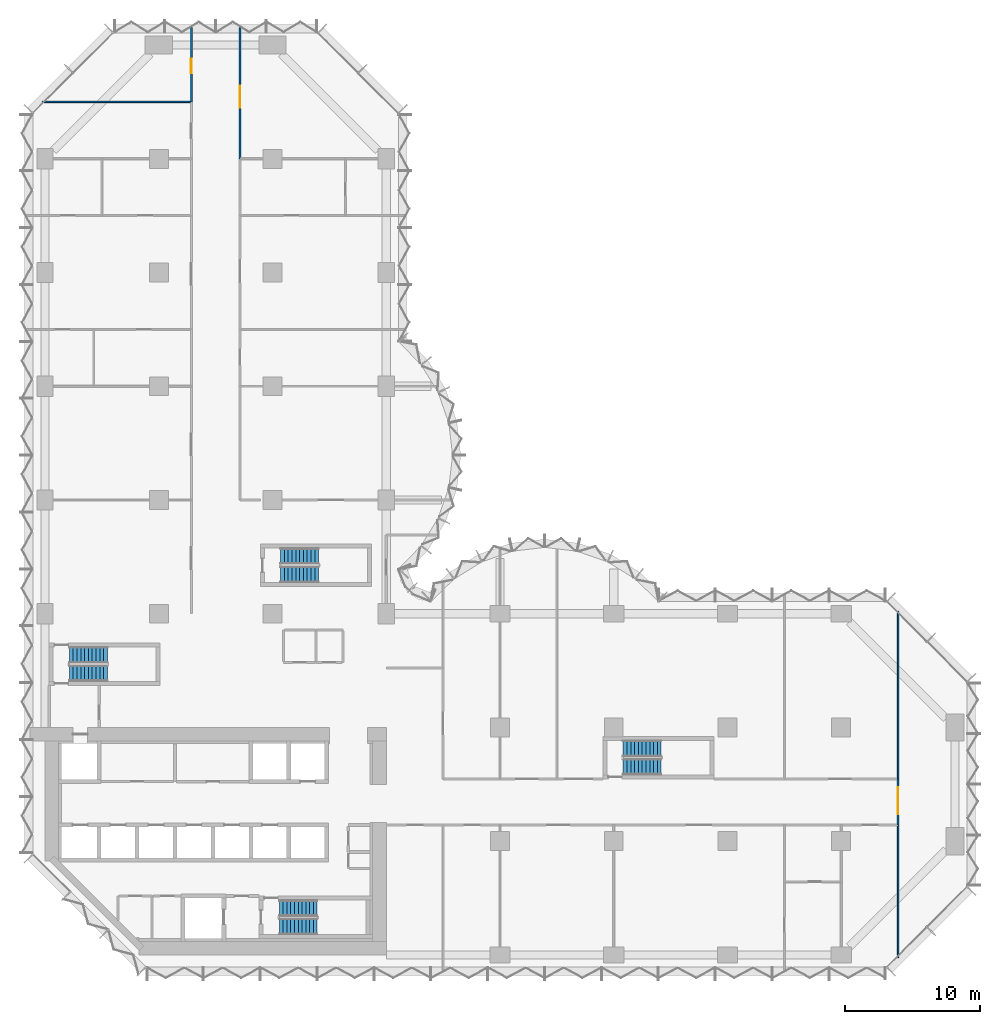
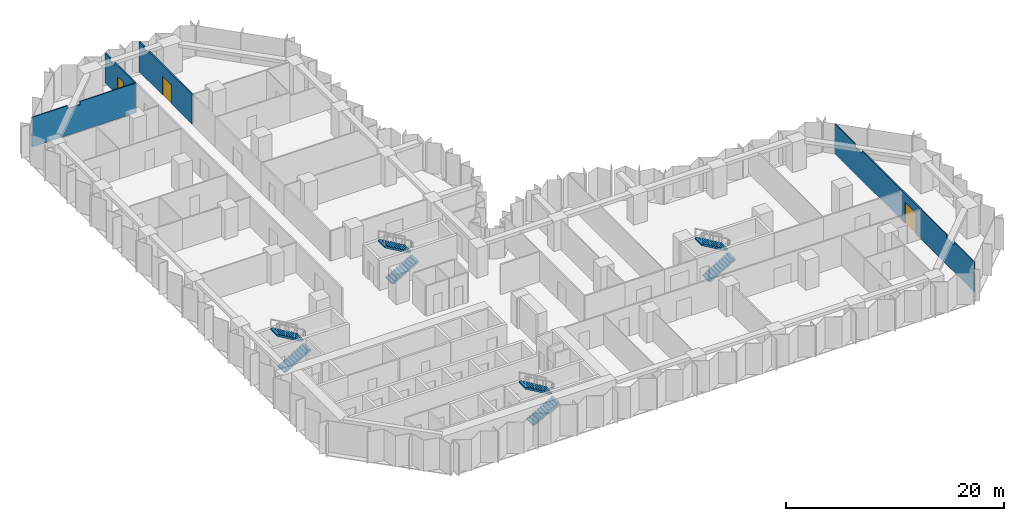
# One storey, part 12 of 15: 8 stair flights, 6 walls, 3 doors, 3 openings, 4 elements without a shape of their own.
"""IFC4 building model written with IfcOpenShell, lengths in metres."""

from ifc_helpers import new_model, si_unit, direction, frame, frame_2d, origin, place, context, subcontext, project, spatial, polyline, rectangle, outline, extrude, material, layer, layer_set, type_object, element, fill, aggregate, save


model = new_model("IFC4")

# Units and contexts
model_context = context("Model", 3, precision=1e-05, world=origin(), true_north=direction((0.0, 1.0)))
body_context = subcontext(model_context, "Body", "Model", "MODEL_VIEW")
ifc_project = project(units=[si_unit("LENGTHUNIT", "METRE"), si_unit("AREAUNIT", "SQUARE_METRE"), si_unit("VOLUMEUNIT", "CUBIC_METRE"), si_unit("PLANEANGLEUNIT", "RADIAN"), si_unit("MASSUNIT", "GRAM", prefix="KILO")], contexts=[model_context])

# Site, building, storey
site_placement = place(None, origin())
site = spatial("IfcSite", under=ifc_project, at=site_placement, CompositionType="ELEMENT")
building_placement = place(site_placement, origin())
building = spatial("IfcBuilding", under=site, at=building_placement, Name="Brevane Broadcast Tower", CompositionType="ELEMENT")
storey_placement = place(building_placement, frame((0.0, 0.0, 61.699951171875)))
storey = spatial("IfcBuildingStorey", under=building, at=storey_placement, Name="L13", CompositionType="ELEMENT", Elevation=61.699951171875)

# Walls
ifc_material_1 = material(Name="Gypsum board partition")
ifc_layer_1 = layer(ifc_material_1, 0.10009765625)
ifc_layer_set_1 = layer_set([ifc_layer_1], Name="PARTITION 100 STUD")
wall_type_1 = type_object("IfcWallType", Name="PARTITION 100 STUD", PredefinedType="PARTITIONING", material=ifc_layer_set_1)
wall_1_placement = place(storey_placement, frame((63.0, -0.199951171875, 0.0), z_axis=(0.0, 0.0, 1.0), x_axis=(0.0, 1.0, 0.0)))
element("IfcWall", 1, at=wall_1_placement, inside=storey, type_object=wall_type_1, Name="Partition G03-018", PredefinedType="PARTITIONING", context=body_context, shape_type="SweptSolid", body=[
    extrude(outline(polyline([(0.0, 0.0), (9.800048828125, 0.0), (9.800048828125, 3.330078125), (5.065673828125, 3.330078125), (5.063720703125, 2.97998046875), (3.736328125, 2.97998046875), (3.734375, 3.330078125), (0.0, 3.330078125), (0.0, 0.0)])), frame((0.0, 0.050048828125, 0.0), z_axis=(0.0, -1.0, 0.0), x_axis=(1.0, 0.0, 0.0)), (0.0, 0.0, 1.0), 0.10009765625),
])
wall_2_placement = place(storey_placement, frame((63.0, 13.0, 0.0), z_axis=(0.0, 0.0, 1.0), x_axis=(0.0, 1.0, 0.0)))
element("IfcWall", 2, at=wall_2_placement, inside=storey, type_object=wall_type_1, Name="Partition G03-019", PredefinedType="PARTITIONING", context=body_context, shape_type="SweptSolid", body=[
    extrude(outline(polyline([(0.0, 0.0), (12.39990234375, 0.0), (12.39990234375, 3.330078125), (8.665771484375, 3.330078125), (8.66357421875, 2.97998046875), (7.33642578125, 2.97998046875), (7.334228515625, 3.330078125), (0.0, 3.330078125), (0.0, 0.0)])), frame((0.0, 0.050048828125, 0.0), z_axis=(0.0, -1.0, 0.0), x_axis=(1.0, 0.0, 0.0)), (0.0, 0.0, 1.0), 0.10009765625),
])
wall_3_placement = place(storey_placement, frame((-0.199951171875, 63.0, 0.0), z_axis=(0.0, 0.0, 1.0), x_axis=(1.0, 0.0, 0.0)))
element("IfcWall", 3, at=wall_3_placement, inside=storey, type_object=wall_type_1, Name="Partition G03-065", PredefinedType="PARTITIONING", context=body_context, shape_type="SweptSolid", body=[
    extrude(outline(polyline([(0.0, 0.0), (11.0, 0.0), (11.0, 3.330078125), (5.065673828125, 3.330078125), (5.063720703125, 2.97998046875), (3.736328125, 2.97998046875), (3.734375, 3.330078125), (0.0, 3.330078125), (0.0, 0.0)])), frame((0.0, 0.050048828125, 0.0), z_axis=(0.0, -1.0, 0.0), x_axis=(1.0, 0.0, 0.0)), (0.0, 0.0, 1.0), 0.10009765625),
])

# Wall, opening, door
ifc_layer_2 = layer(ifc_material_1, 0.14990234375)
ifc_layer_set_2 = layer_set([ifc_layer_2], Name="PARTITION 150 EI 60")
wall_type_2 = type_object("IfcWallType", Name="PARTITION 150 EI 60", PredefinedType="PARTITIONING", material=ifc_layer_set_2)
wall_4_placement = place(storey_placement, frame((63.0, 13.0, 0.0), z_axis=(0.0, 0.0, 1.0), x_axis=(0.0, -1.0, 0.0)))
wall_4 = element("IfcWall", 4, at=wall_4_placement, inside=storey, type_object=wall_type_2, Name="Partition G03-007", PredefinedType="PARTITIONING", context=body_context, shape_type="SweptSolid", body=[
    extrude(rectangle(XDim=3.39990234375, YDim=0.14990234375, at=frame_2d((1.699951171875, 0.0))), origin(), (0.0, 0.0, 1.0), 3.330078125),
])
opening_1_placement = place(wall_4_placement, frame((0.60009765625, 0.0, 0.0)))
opening_1 = element("IfcOpeningElement", 5, at=opening_1_placement, cuts=wall_4, Name="Opening D09-002", PredefinedType="OPENING", context=body_context, shape_type="SweptSolid", body=[
    extrude(rectangle(XDim=2.0, YDim=2.39990234375, at=frame_2d((1.0, 1.199951171875))), frame((0.0, 0.0849609375, 0.0), z_axis=(0.0, -1.0, 0.0), x_axis=(1.0, 0.0, 0.0)), (0.0, 0.0, 1.0), 0.169921875),
])
ifc_material_2 = material(Name="Fire-rated timber door leaf", Category="wood")
door_type_1 = type_object("IfcDoorType", Name="DOOR DOUBLE 2000 FD30S", OperationType="DOUBLE_DOOR_SINGLE_SWING", PredefinedType="DOOR", material=ifc_material_2)
door_1_placement = place(opening_1_placement, origin())
door_1 = element("IfcDoor", 6, at=door_1_placement, inside=storey, type_object=door_type_1, Name="Door D09-002", OperationType="DOUBLE_DOOR_SINGLE_SWING", OverallHeight=2.39990234375, OverallWidth=2.0, PredefinedType="DOOR", context=body_context, shape_type="SweptSolid", body=[
    extrude(rectangle(XDim=2.0, YDim=2.39990234375, at=frame_2d((1.0, 1.199951171875))), frame((0.0, 0.02490234375, 0.0), z_axis=(0.0, -1.0, 0.0), x_axis=(1.0, 0.0, 0.0)), (0.0, 0.0, 1.0), 0.050048828125),
])
fill(opening_1, door_1)

wall_5_placement = place(storey_placement, frame((10.800048828125, 63.0, 0.0), z_axis=(0.0, 0.0, 1.0), x_axis=(0.0, 1.0, 0.0)))
wall_5 = element("IfcWall", 7, at=wall_5_placement, inside=storey, type_object=wall_type_2, Name="Partition G03-045", PredefinedType="PARTITIONING", context=body_context, shape_type="SweptSolid", body=[
    extrude(outline(polyline([(0.0, 0.0), (5.514404296875, 0.0), (5.514404296875, 3.330078125), (5.280029296875, 3.330078125), (4.64990234375, 3.330078125), (4.64794921875, 2.97998046875), (3.751953125, 2.97998046875), (3.75, 3.330078125), (0.0, 3.330078125), (0.0, 0.0)])), frame((0.0, 0.074951171875, 0.0), z_axis=(0.0, -1.0, 0.0), x_axis=(1.0, 0.0, 0.0)), (0.0, 0.0, 1.0), 0.14990234375),
])
opening_2_placement = place(wall_5_placement, frame((2.10009765625, 0.0, 0.0)))
opening_2 = element("IfcOpeningElement", 8, at=opening_2_placement, cuts=wall_5, Name="Opening D09-022", PredefinedType="OPENING", context=body_context, shape_type="SweptSolid", body=[
    extrude(rectangle(XDim=1.10009765625, YDim=2.10009765625, at=frame_2d((0.550048828125, 1.050048828125))), frame((0.0, 0.0849609375, 0.0), z_axis=(0.0, -1.0, 0.0), x_axis=(1.0, 0.0, 0.0)), (0.0, 0.0, 1.0), 0.169921875),
])
door_type_2 = type_object("IfcDoorType", Name="DOOR SINGLE 1100 FD30S", OperationType="SINGLE_SWING_LEFT", PredefinedType="DOOR", material=ifc_material_2)
door_2_placement = place(opening_2_placement, origin())
door_2 = element("IfcDoor", 9, at=door_2_placement, inside=storey, type_object=door_type_2, Name="Door D09-022", OperationType="SINGLE_SWING_LEFT", OverallHeight=2.10009765625, OverallWidth=1.10009765625, PredefinedType="DOOR", context=body_context, shape_type="SweptSolid", body=[
    extrude(rectangle(XDim=1.10009765625, YDim=2.10009765625, at=frame_2d((0.550048828125, 1.050048828125))), frame((0.0, 0.02490234375, 0.0), z_axis=(0.0, -1.0, 0.0), x_axis=(1.0, 0.0, 0.0)), (0.0, 0.0, 1.0), 0.050048828125),
])
fill(opening_2, door_2)

wall_6_placement = place(storey_placement, frame((14.39990234375, 68.514404296875, 0.0), z_axis=(0.0, 0.0, 1.0), x_axis=(0.0, -1.0, 0.0)))
wall_6 = element("IfcWall", 10, at=wall_6_placement, inside=storey, type_object=wall_type_2, Name="Partition G03-050", PredefinedType="PARTITIONING", context=body_context, shape_type="SweptSolid", body=[
    extrude(outline(polyline([(0.0, 0.0), (9.71435546875, 0.0), (9.71435546875, 3.330078125), (1.764404296875, 3.330078125), (1.76220703125, 2.97998046875), (0.8662109375, 2.97998046875), (0.8642578125, 3.330078125), (0.234375, 3.330078125), (0.0, 3.330078125), (0.0, 0.0)])), frame((0.0, 0.074951171875, 0.0), z_axis=(0.0, -1.0, 0.0), x_axis=(1.0, 0.0, 0.0)), (0.0, 0.0, 1.0), 0.14990234375),
])
opening_3_placement = place(wall_6_placement, frame((4.334228515625, 0.0, 0.0)))
opening_3 = element("IfcOpeningElement", 11, at=opening_3_placement, cuts=wall_6, Name="Opening D09-028", PredefinedType="OPENING", context=body_context, shape_type="SweptSolid", body=[
    extrude(rectangle(XDim=1.60009765625, YDim=2.10009765625, at=frame_2d((0.800048828125, 1.050048828125))), frame((0.0, 0.0849609375, 0.0), z_axis=(0.0, -1.0, 0.0), x_axis=(1.0, 0.0, 0.0)), (0.0, 0.0, 1.0), 0.169921875),
])
door_type_3 = type_object("IfcDoorType", Name="DOOR DOUBLE 1600 FD30S", OperationType="DOUBLE_DOOR_SINGLE_SWING", PredefinedType="DOOR", material=ifc_material_2)
door_3_placement = place(opening_3_placement, origin())
door_3 = element("IfcDoor", 12, at=door_3_placement, inside=storey, type_object=door_type_3, Name="Door D09-028", OperationType="DOUBLE_DOOR_SINGLE_SWING", OverallHeight=2.10009765625, OverallWidth=1.60009765625, PredefinedType="DOOR", context=body_context, shape_type="SweptSolid", body=[
    extrude(rectangle(XDim=1.60009765625, YDim=2.10009765625, at=frame_2d((0.800048828125, 1.050048828125))), frame((0.0, 0.02490234375, 0.0), z_axis=(0.0, -1.0, 0.0), x_axis=(1.0, 0.0, 0.0)), (0.0, 0.0, 1.0), 0.050048828125),
])
fill(opening_3, door_3)

# Stair, stair flights
ifc_material_3 = material(Name="Concrete C50/60", Category="concrete")
stair_type = type_object("IfcStairType", Name="Exit stair 22 risers", PredefinedType="HALF_TURN_STAIR", material=ifc_material_3)
stair_1_placement = place(storey_placement, origin())
stair_1 = element("IfcStair", 13, at=stair_1_placement, inside=storey, type_object=stair_type, Name="L13 Exit stair ST-1", PredefinedType="HALF_TURN_STAIR")
stair_flight_type = type_object("IfcStairFlightType", Name="Exit stair flight 22 risers", PredefinedType="STRAIGHT", material=ifc_material_3)
stair_flight_1_placement = place(storey_placement, frame((1.800048828125, 20.800048828125, 0.0), z_axis=(0.0, 0.0, 1.0), x_axis=(1.0, 0.0, 0.0)))
stair_flight_1 = element("IfcStairFlight", 14, at=stair_flight_1_placement, type_object=stair_flight_type, Name="ST-1 flight 1", NumberOfRisers=11, NumberOfTreads=10, PredefinedType="STRAIGHT", RiserHeight=0.163636364, TreadLength=0.28, context=body_context, shape_type="SweptSolid", body=[
    extrude(outline(polyline([(0.0, 0.0), (0.0, 0.16357421875), (0.280029296875, 0.16357421875), (0.280029296875, 0.327392578125), (0.56005859375, 0.327392578125), (0.56005859375, 0.490966796875), (0.840087890625, 0.490966796875), (0.840087890625, 0.654541015625), (1.1201171875, 0.654541015625), (1.1201171875, 0.818115234375), (1.39990234375, 0.818115234375), (1.39990234375, 0.98193359375), (1.679931640625, 0.98193359375), (1.679931640625, 1.1455078125), (1.9599609375, 1.1455078125), (1.9599609375, 1.30908203125), (2.239990234375, 1.30908203125), (2.239990234375, 1.47265625), (2.52001953125, 1.47265625), (2.52001953125, 1.636474609375), (2.800048828125, 1.636474609375), (2.800048828125, 1.800048828125), (2.800048828125, 1.462646484375), (0.297119140625, 0.0), (0.0, 0.0)])), frame((0.0, 0.60009765625, 0.0), z_axis=(0.0, -1.0, 0.0), x_axis=(1.0, 0.0, 0.0)), (0.0, 0.0, 1.0), 1.199951171875),
])
stair_flight_2_placement = place(storey_placement, frame((4.60009765625, 22.14990234375, 1.800048828125), z_axis=(0.0, 0.0, 1.0), x_axis=(-1.0, 0.0, 0.0)))
stair_flight_2 = element("IfcStairFlight", 15, at=stair_flight_2_placement, type_object=stair_flight_type, Name="ST-1 flight 2", NumberOfRisers=11, NumberOfTreads=10, PredefinedType="STRAIGHT", RiserHeight=0.163636364, TreadLength=0.28, context=body_context, shape_type="SweptSolid", body=[
    extrude(outline(polyline([(0.0, 0.0), (0.0, 0.16357421875), (0.280029296875, 0.16357421875), (0.280029296875, 0.327392578125), (0.56005859375, 0.327392578125), (0.56005859375, 0.490966796875), (0.840087890625, 0.490966796875), (0.840087890625, 0.654541015625), (1.1201171875, 0.654541015625), (1.1201171875, 0.818115234375), (1.39990234375, 0.818115234375), (1.39990234375, 0.98193359375), (1.679931640625, 0.98193359375), (1.679931640625, 1.1455078125), (1.9599609375, 1.1455078125), (1.9599609375, 1.30908203125), (2.239990234375, 1.30908203125), (2.239990234375, 1.47265625), (2.52001953125, 1.47265625), (2.52001953125, 1.636474609375), (2.800048828125, 1.636474609375), (2.800048828125, 1.800048828125), (2.800048828125, 1.462646484375), (0.297119140625, 0.0), (0.0, 0.0)])), frame((0.0, 0.60009765625, 0.0), z_axis=(0.0, -1.0, 0.0), x_axis=(1.0, 0.0, 0.0)), (0.0, 0.0, 1.0), 1.199951171875),
])
aggregate(stair_1, [stair_flight_1, stair_flight_2])

stair_2_placement = place(storey_placement, origin())
stair_2 = element("IfcStair", 16, at=stair_2_placement, inside=storey, type_object=stair_type, Name="L13 Exit stair ST-2", PredefinedType="HALF_TURN_STAIR")
stair_flight_3_placement = place(storey_placement, frame((17.300048828125, 2.10009765625, 0.0), z_axis=(0.0, 0.0, 1.0), x_axis=(1.0, 0.0, 0.0)))
stair_flight_3 = element("IfcStairFlight", 17, at=stair_flight_3_placement, type_object=stair_flight_type, Name="ST-2 flight 1", NumberOfRisers=11, NumberOfTreads=10, PredefinedType="STRAIGHT", RiserHeight=0.163636364, TreadLength=0.28, context=body_context, shape_type="SweptSolid", body=[
    extrude(outline(polyline([(0.0, 0.0), (0.0, 0.16357421875), (0.280029296875, 0.16357421875), (0.280029296875, 0.327392578125), (0.56005859375, 0.327392578125), (0.56005859375, 0.490966796875), (0.840087890625, 0.490966796875), (0.840087890625, 0.654541015625), (1.1201171875, 0.654541015625), (1.1201171875, 0.818115234375), (1.39990234375, 0.818115234375), (1.39990234375, 0.98193359375), (1.679931640625, 0.98193359375), (1.679931640625, 1.1455078125), (1.9599609375, 1.1455078125), (1.9599609375, 1.30908203125), (2.239990234375, 1.30908203125), (2.239990234375, 1.47265625), (2.52001953125, 1.47265625), (2.52001953125, 1.636474609375), (2.800048828125, 1.636474609375), (2.800048828125, 1.800048828125), (2.800048828125, 1.462646484375), (0.297119140625, 0.0), (0.0, 0.0)])), frame((0.0, 0.60009765625, 0.0), z_axis=(0.0, -1.0, 0.0), x_axis=(1.0, 0.0, 0.0)), (0.0, 0.0, 1.0), 1.199951171875),
])
stair_flight_4_placement = place(storey_placement, frame((20.10009765625, 3.449951171875, 1.800048828125), z_axis=(0.0, 0.0, 1.0), x_axis=(-1.0, 0.0, 0.0)))
stair_flight_4 = element("IfcStairFlight", 18, at=stair_flight_4_placement, type_object=stair_flight_type, Name="ST-2 flight 2", NumberOfRisers=11, NumberOfTreads=10, PredefinedType="STRAIGHT", RiserHeight=0.163636364, TreadLength=0.28, context=body_context, shape_type="SweptSolid", body=[
    extrude(outline(polyline([(0.0, 0.0), (0.0, 0.16357421875), (0.280029296875, 0.16357421875), (0.280029296875, 0.327392578125), (0.56005859375, 0.327392578125), (0.56005859375, 0.490966796875), (0.840087890625, 0.490966796875), (0.840087890625, 0.654541015625), (1.1201171875, 0.654541015625), (1.1201171875, 0.818115234375), (1.39990234375, 0.818115234375), (1.39990234375, 0.98193359375), (1.679931640625, 0.98193359375), (1.679931640625, 1.1455078125), (1.9599609375, 1.1455078125), (1.9599609375, 1.30908203125), (2.239990234375, 1.30908203125), (2.239990234375, 1.47265625), (2.52001953125, 1.47265625), (2.52001953125, 1.636474609375), (2.800048828125, 1.636474609375), (2.800048828125, 1.800048828125), (2.800048828125, 1.462646484375), (0.297119140625, 0.0), (0.0, 0.0)])), frame((0.0, 0.60009765625, 0.0), z_axis=(0.0, -1.0, 0.0), x_axis=(1.0, 0.0, 0.0)), (0.0, 0.0, 1.0), 1.199951171875),
])
aggregate(stair_2, [stair_flight_3, stair_flight_4])

stair_3_placement = place(storey_placement, origin())
stair_3 = element("IfcStair", 19, at=stair_3_placement, inside=storey, type_object=stair_type, Name="L13 Exit stair ST-3", PredefinedType="HALF_TURN_STAIR")
stair_flight_5_placement = place(storey_placement, frame((17.39990234375, 28.10009765625, 0.0), z_axis=(0.0, 0.0, 1.0), x_axis=(1.0, 0.0, 0.0)))
stair_flight_5 = element("IfcStairFlight", 20, at=stair_flight_5_placement, type_object=stair_flight_type, Name="ST-3 flight 1", NumberOfRisers=11, NumberOfTreads=10, PredefinedType="STRAIGHT", RiserHeight=0.163636364, TreadLength=0.28, context=body_context, shape_type="SweptSolid", body=[
    extrude(outline(polyline([(0.0, 0.0), (0.0, 0.16357421875), (0.280029296875, 0.16357421875), (0.280029296875, 0.327392578125), (0.56005859375, 0.327392578125), (0.56005859375, 0.490966796875), (0.840087890625, 0.490966796875), (0.840087890625, 0.654541015625), (1.1201171875, 0.654541015625), (1.1201171875, 0.818115234375), (1.39990234375, 0.818115234375), (1.39990234375, 0.98193359375), (1.679931640625, 0.98193359375), (1.679931640625, 1.1455078125), (1.9599609375, 1.1455078125), (1.9599609375, 1.30908203125), (2.239990234375, 1.30908203125), (2.239990234375, 1.47265625), (2.52001953125, 1.47265625), (2.52001953125, 1.636474609375), (2.800048828125, 1.636474609375), (2.800048828125, 1.800048828125), (2.800048828125, 1.462646484375), (0.297119140625, 0.0), (0.0, 0.0)])), frame((0.0, 0.60009765625, 0.0), z_axis=(0.0, -1.0, 0.0), x_axis=(1.0, 0.0, 0.0)), (0.0, 0.0, 1.0), 1.199951171875),
])
stair_flight_6_placement = place(storey_placement, frame((20.199951171875, 29.449951171875, 1.800048828125), z_axis=(0.0, 0.0, 1.0), x_axis=(-1.0, 0.0, 0.0)))
stair_flight_6 = element("IfcStairFlight", 21, at=stair_flight_6_placement, type_object=stair_flight_type, Name="ST-3 flight 2", NumberOfRisers=11, NumberOfTreads=10, PredefinedType="STRAIGHT", RiserHeight=0.163636364, TreadLength=0.28, context=body_context, shape_type="SweptSolid", body=[
    extrude(outline(polyline([(0.0, 0.0), (0.0, 0.16357421875), (0.280029296875, 0.16357421875), (0.280029296875, 0.327392578125), (0.56005859375, 0.327392578125), (0.56005859375, 0.490966796875), (0.840087890625, 0.490966796875), (0.840087890625, 0.654541015625), (1.1201171875, 0.654541015625), (1.1201171875, 0.818115234375), (1.39990234375, 0.818115234375), (1.39990234375, 0.98193359375), (1.679931640625, 0.98193359375), (1.679931640625, 1.1455078125), (1.9599609375, 1.1455078125), (1.9599609375, 1.30908203125), (2.239990234375, 1.30908203125), (2.239990234375, 1.47265625), (2.52001953125, 1.47265625), (2.52001953125, 1.636474609375), (2.800048828125, 1.636474609375), (2.800048828125, 1.800048828125), (2.800048828125, 1.462646484375), (0.297119140625, 0.0), (0.0, 0.0)])), frame((0.0, 0.60009765625, 0.0), z_axis=(0.0, -1.0, 0.0), x_axis=(1.0, 0.0, 0.0)), (0.0, 0.0, 1.0), 1.199951171875),
])
aggregate(stair_3, [stair_flight_5, stair_flight_6])

stair_4_placement = place(storey_placement, origin())
stair_4 = element("IfcStair", 22, at=stair_4_placement, inside=storey, type_object=stair_type, Name="L13 Exit stair ST-4", PredefinedType="HALF_TURN_STAIR")
stair_flight_7_placement = place(storey_placement, frame((42.699951171875, 13.89990234375, 0.0), z_axis=(0.0, 0.0, 1.0), x_axis=(1.0, 0.0, 0.0)))
stair_flight_7 = element("IfcStairFlight", 23, at=stair_flight_7_placement, type_object=stair_flight_type, Name="ST-4 flight 1", NumberOfRisers=11, NumberOfTreads=10, PredefinedType="STRAIGHT", RiserHeight=0.163636364, TreadLength=0.28, context=body_context, shape_type="SweptSolid", body=[
    extrude(outline(polyline([(0.0, 0.0), (0.0, 0.16357421875), (0.280029296875, 0.16357421875), (0.280029296875, 0.327392578125), (0.56005859375, 0.327392578125), (0.56005859375, 0.490966796875), (0.840087890625, 0.490966796875), (0.840087890625, 0.654541015625), (1.1201171875, 0.654541015625), (1.1201171875, 0.818115234375), (1.39990234375, 0.818115234375), (1.39990234375, 0.98193359375), (1.679931640625, 0.98193359375), (1.679931640625, 1.1455078125), (1.9599609375, 1.1455078125), (1.9599609375, 1.30908203125), (2.239990234375, 1.30908203125), (2.239990234375, 1.47265625), (2.52001953125, 1.47265625), (2.52001953125, 1.636474609375), (2.800048828125, 1.636474609375), (2.800048828125, 1.800048828125), (2.800048828125, 1.462646484375), (0.297119140625, 0.0), (0.0, 0.0)])), frame((0.0, 0.60009765625, 0.0), z_axis=(0.0, -1.0, 0.0), x_axis=(1.0, 0.0, 0.0)), (0.0, 0.0, 1.0), 1.199951171875),
])
stair_flight_8_placement = place(storey_placement, frame((45.5, 15.25, 1.800048828125), z_axis=(0.0, 0.0, 1.0), x_axis=(-1.0, 0.0, 0.0)))
stair_flight_8 = element("IfcStairFlight", 24, at=stair_flight_8_placement, type_object=stair_flight_type, Name="ST-4 flight 2", NumberOfRisers=11, NumberOfTreads=10, PredefinedType="STRAIGHT", RiserHeight=0.163636364, TreadLength=0.28, context=body_context, shape_type="SweptSolid", body=[
    extrude(outline(polyline([(0.0, 0.0), (0.0, 0.16357421875), (0.280029296875, 0.16357421875), (0.280029296875, 0.327392578125), (0.56005859375, 0.327392578125), (0.56005859375, 0.490966796875), (0.840087890625, 0.490966796875), (0.840087890625, 0.654541015625), (1.1201171875, 0.654541015625), (1.1201171875, 0.818115234375), (1.39990234375, 0.818115234375), (1.39990234375, 0.98193359375), (1.679931640625, 0.98193359375), (1.679931640625, 1.1455078125), (1.9599609375, 1.1455078125), (1.9599609375, 1.30908203125), (2.239990234375, 1.30908203125), (2.239990234375, 1.47265625), (2.52001953125, 1.47265625), (2.52001953125, 1.636474609375), (2.800048828125, 1.636474609375), (2.800048828125, 1.800048828125), (2.800048828125, 1.462646484375), (0.297119140625, 0.0), (0.0, 0.0)])), frame((0.0, 0.60009765625, 0.0), z_axis=(0.0, -1.0, 0.0), x_axis=(1.0, 0.0, 0.0)), (0.0, 0.0, 1.0), 1.199951171875),
])
aggregate(stair_4, [stair_flight_7, stair_flight_8])

save(model, "model.ifc")
